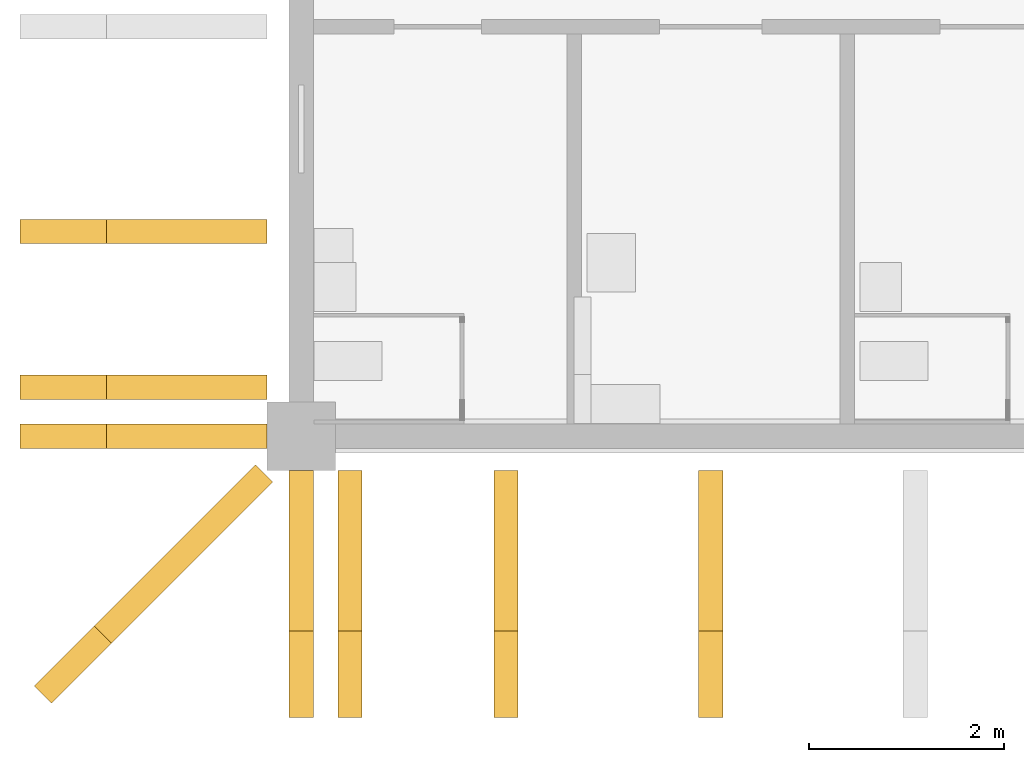
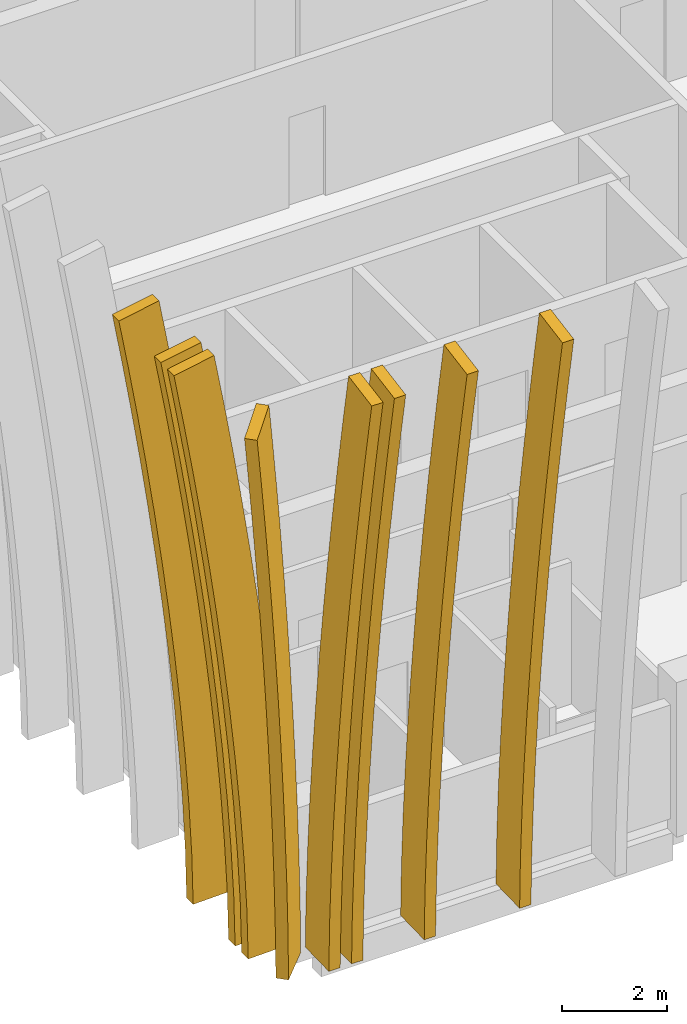
# One storey, part 9 of 19: 8 shading devices.
"""IFC4 building model written with IfcOpenShell, lengths in metres."""

import ifcopenshell
import ifcopenshell.guid

model = None  # the IFC model being written
_history = None  # IfcOwnerHistory: only IFC2X3 demands one
_inside = {}  # id of a spatial element -> (the spatial element, [elements in it])
_under = {}  # id of a project, library or spatial element -> (it, [spatial elements below it])
_declared = {}  # id of a project -> (the project, [libraries it declares])
_typed = {}  # id of a type object -> (the type object, [elements of that type])
_made_of = {}  # id of a material, layer set ... -> (it, [elements and type objects made of it])


def new_model(schema):
    """Start an empty IFC model of exactly this schema.

    Asked for "IFC4X3", IfcOpenShell would pick the latest addendum, in which some entities
    have other attributes; the version numbers below select the first issue.
    IFC2X3 requires an IfcOwnerHistory on every rooted entity: one is made here for all.
    """
    global model, _history
    if schema == "IFC4X3":
        model = ifcopenshell.file(schema_version=(4, 3, 0, 0))
    else:
        model = ifcopenshell.file(schema=schema)
    _inside.clear()
    _under.clear()
    _declared.clear()
    _typed.clear()
    _made_of.clear()
    _history = None
    if model.schema == "IFC2X3":
        org = make("IfcOrganization", Name="unknown")
        user = make(
            "IfcPersonAndOrganization",
            ThePerson=make("IfcPerson", FamilyName="unknown"),
            TheOrganization=org,
        )
        app = make(
            "IfcApplication",
            ApplicationDeveloper=org,
            Version="unknown",
            ApplicationFullName="unknown",
            ApplicationIdentifier="unknown",
        )
        _history = make(
            "IfcOwnerHistory",
            OwningUser=user,
            OwningApplication=app,
            ChangeAction="ADDED",
            CreationDate=0,
        )
    return model


def make(cls, **values):
    """One entity of the class cls with the attributes given. An attribute that is None is left unset."""
    return model.create_entity(
        cls, **{name: value for name, value in values.items() if value is not None}
    )


def rooted(cls, **values):
    """An entity with a GlobalId (a new one), such as an element, a storey or a relation."""
    return make(cls, GlobalId=ifcopenshell.guid.new(), OwnerHistory=_history, **values)


def si_unit(unit_type, name, prefix=None):
    """IfcSIUnit, for example si_unit("LENGTHUNIT", "METRE", prefix="MILLI")."""
    return make("IfcSIUnit", UnitType=unit_type, Prefix=prefix, Name=name)


def assignment(units):
    """IfcUnitAssignment: the units of a project."""
    return None if units is None else make("IfcUnitAssignment", Units=units)


def point(xyz):
    """IfcCartesianPoint."""
    return None if xyz is None else make("IfcCartesianPoint", Coordinates=xyz)


def direction(xyz):
    """IfcDirection."""
    return None if xyz is None else make("IfcDirection", DirectionRatios=xyz)


def frame(location, z_axis=None, x_axis=None):
    """IfcAxis2Placement3D, a coordinate frame: its origin and axes. An axis left out is left unset."""
    return make(
        "IfcAxis2Placement3D",
        Location=point(location),
        Axis=direction(z_axis),
        RefDirection=direction(x_axis),
    )


def frame_2d(location, x_axis=None):
    """IfcAxis2Placement2D, a coordinate frame in the plane: its origin and x axis."""
    return make(
        "IfcAxis2Placement2D", Location=point(location), RefDirection=direction(x_axis)
    )


def origin():
    """The frame at (0, 0, 0) with its axes left unset."""
    return frame((0.0, 0.0, 0.0))


def origin_2d():
    """The frame at (0, 0) in the plane with its x axis left unset."""
    return frame_2d((0.0, 0.0))


def place(relative_to, where):
    """IfcLocalPlacement: puts the frame where relative to a parent placement (None: the world)."""
    return make(
        "IfcLocalPlacement", PlacementRelTo=relative_to, RelativePlacement=where
    )


def context(
    kind, dimensions, precision=None, world=None, true_north=None, identifier=None
):
    """IfcGeometricRepresentationContext, for example the 3D "Model" context."""
    return make(
        "IfcGeometricRepresentationContext",
        ContextIdentifier=identifier,
        ContextType=kind,
        CoordinateSpaceDimension=dimensions,
        Precision=precision,
        WorldCoordinateSystem=world,
        TrueNorth=true_north,
    )


def subcontext(parent, identifier, kind, view, scale=None):
    """IfcGeometricRepresentationSubContext, for example "Body" below "Model"."""
    return make(
        "IfcGeometricRepresentationSubContext",
        ContextIdentifier=identifier,
        ContextType=kind,
        ParentContext=parent,
        TargetScale=scale,
        TargetView=view,
    )


def project(units=None, contexts=None):
    """IfcProject with its units and contexts."""
    return rooted(
        "IfcProject",
        Name="project",
        RepresentationContexts=contexts,
        UnitsInContext=assignment(units),
    )


def spatial(cls, under=None, at=None, **own):
    """A site, building, storey or space (cls), placed at a placement, below another one or the project."""
    s = rooted(cls, ObjectPlacement=at, **own)
    if under is not None:
        _under.setdefault(under.id(), (under, []))[1].append(s)
    return s


def profile(cls, at=None, kind="AREA", **sizes):
    """A parametric profile (cls). Its sizes go by their IFC names, for example OverallWidth=200.0."""
    return make(cls, ProfileType=kind, Position=at, **sizes)


def rectangle(**sizes):
    """IfcRectangleProfileDef."""
    return profile("IfcRectangleProfileDef", **sizes)


def faces_of(points, faces, orient=None, outer=None):
    """IfcFace entities. A face is a list of loops; a loop is a list of indices into points, from 0.

    orient and outer hold one flag for each loop. By default every Orientation is true, the
    first loop of a face is its IfcFaceOuterBound and the others are IfcFaceBound.
    """
    made = []
    for i, loops in enumerate(faces):
        bounds = []
        for j, loop in enumerate(loops):
            is_outer = j == 0 if outer is None else outer[i][j]
            bounds.append(
                make(
                    "IfcFaceOuterBound" if is_outer else "IfcFaceBound",
                    Bound=make("IfcPolyLoop", Polygon=[points[k] for k in loop]),
                    Orientation=True if orient is None else orient[i][j],
                )
            )
        made.append(make("IfcFace", Bounds=bounds))
    return made


def faceted_brep(points, faces, orient=None, outer=None, voids=None):
    """IfcFacetedBrep: a solid bounded by flat faces; with voids (closed shells), ...WithVoids."""
    shared = [point(p) for p in points]
    hull = make("IfcClosedShell", CfsFaces=faces_of(shared, faces, orient, outer))
    if voids is None:
        return make("IfcFacetedBrep", Outer=hull)
    return make(
        "IfcFacetedBrepWithVoids",
        Outer=hull,
        Voids=[
            make(cls, CfsFaces=faces_of(shared, fs, o, b)) for cls, fs, o, b in voids
        ],
    )


def shape(context_of_items, identifier, shape_type, items):
    """IfcShapeRepresentation: the items that make up one representation, for example the "Body"."""
    return make(
        "IfcShapeRepresentation",
        ContextOfItems=context_of_items,
        RepresentationIdentifier=identifier,
        RepresentationType=shape_type,
        Items=items,
    )


def material(Name=None, Category=None):
    """IfcMaterial."""
    return make("IfcMaterial", Name=Name, Category=Category)


def material_profile(
    of_material, cross_section, Name=None, Category=None, Priority=None
):
    """IfcMaterialProfile: a cross section and its material."""
    return make(
        "IfcMaterialProfile",
        Name=Name,
        Material=of_material,
        Profile=cross_section,
        Priority=Priority,
        Category=Category,
    )


def profile_set(profiles, Name=None, composite=None):
    """IfcMaterialProfileSet."""
    return make(
        "IfcMaterialProfileSet",
        Name=Name,
        MaterialProfiles=profiles,
        CompositeProfile=composite,
    )


def made_of(thing, what):
    """Note that an element or type object is made of a material, layer set ...; save() writes the relation."""
    if what is not None:
        _made_of.setdefault(what.id(), (what, []))[1].append(thing)
    return thing


def type_object(cls, material=None, **own):
    """A type object (cls), such as IfcWallType, which elements share."""
    return made_of(rooted(cls, **own), material)


def element(
    cls,
    number,
    at=None,
    inside=None,
    cuts=None,
    type_object=None,
    material=None,
    context=None,
    identifier="Body",
    shape_type=None,
    held_by="IfcProductDefinitionShape",
    body=None,
    shapes=None,
    **own,
):
    """One element of the class cls, such as IfcWall. Its Tag is "e" and its number.

    at: its placement. inside: the storey or other place that contains it. cuts: it is an
    opening in that element (IfcRelVoidsElement). A single representation is given by context,
    identifier, shape_type and body (its items); several are given by shapes. held_by: the class
    of the entity that holds the representations. save() writes the other relations.
    """
    e = rooted(cls, Tag="e%d" % number, ObjectPlacement=at, **own)
    if body is not None:
        shapes = [shape(context, identifier, shape_type, body)]
    if shapes is not None:
        e.Representation = make(held_by, Representations=shapes)
    if inside is not None:
        _inside.setdefault(inside.id(), (inside, []))[1].append(e)
    if cuts is not None:
        rooted(
            "IfcRelVoidsElement", RelatingBuildingElement=cuts, RelatedOpeningElement=e
        )
    if type_object is not None:
        _typed.setdefault(type_object.id(), (type_object, []))[1].append(e)
    return made_of(e, material)


def aggregate(whole, parts):
    """IfcRelAggregates: a whole, such as a stair, and the parts it consists of."""
    return rooted("IfcRelAggregates", RelatingObject=whole, RelatedObjects=parts)


def save(model, path):
    """Write the relations noted so far, then the file.

    IfcRelAggregates (storeys below a building ...), IfcRelContainedInSpatialStructure (elements
    in a storey), IfcRelDefinesByType, IfcRelAssociatesMaterial and IfcRelDeclares: one each for
    every whole, place, type object, material and project.
    """
    for whole, parts in _under.values():
        aggregate(whole, parts)
    for where, things in _inside.values():
        rooted(
            "IfcRelContainedInSpatialStructure",
            RelatedElements=things,
            RelatingStructure=where,
        )
    for kind, things in _typed.values():
        rooted("IfcRelDefinesByType", RelatedObjects=things, RelatingType=kind)
    for what, things in _made_of.values():
        rooted("IfcRelAssociatesMaterial", RelatedObjects=things, RelatingMaterial=what)
    for by, libraries in _declared.values():
        rooted("IfcRelDeclares", RelatingContext=by, RelatedDefinitions=libraries)
    model.write(path)


model = new_model("IFC4")

# Units and contexts
model_context = context("Model", 3, precision=1e-05, world=origin(), true_north=direction((0.0, 1.0)))
body_context = subcontext(model_context, "Body", "Model", "MODEL_VIEW")
ifc_project = project(units=[si_unit("LENGTHUNIT", "METRE"), si_unit("AREAUNIT", "SQUARE_METRE"), si_unit("VOLUMEUNIT", "CUBIC_METRE"), si_unit("PLANEANGLEUNIT", "RADIAN"), si_unit("MASSUNIT", "GRAM", prefix="KILO")], contexts=[model_context])

# Site, building, storey
site_placement = place(None, origin())
site = spatial("IfcSite", under=ifc_project, at=site_placement, CompositionType="ELEMENT")
building_placement = place(site_placement, origin())
building = spatial("IfcBuilding", under=site, at=building_placement, Name="Rulbaag Community and Learning Centre", CompositionType="ELEMENT")
storey_placement = place(building_placement, frame((0.0, 0.0, 57.60009765625)))
storey = spatial("IfcBuildingStorey", under=building, at=storey_placement, Name="L15", CompositionType="ELEMENT", Elevation=57.60009765625)

# Shading devices
ifc_material = material(Name="Concrete M40", Category="concrete")
ifc_material_profile = material_profile(ifc_material, rectangle(XDim=0.25, YDim=0.89990234375, at=origin_2d()), Name="PC 250x900")
ifc_profile_set = profile_set([ifc_material_profile], Name="Concrete M40")
shading_device_type = type_object("IfcShadingDeviceType", Name="FIN-H", PredefinedType="JALOUSIE", material=ifc_profile_set)
shading_device_1_placement = place(storey_placement, frame((0.0, 0.0, -57.60009765625)))
element("IfcShadingDevice", 1, at=shading_device_1_placement, inside=storey, type_object=shading_device_type, Name="Precast crown fin", PredefinedType="JALOUSIE", context=body_context, shape_type="Brep", body=[
    faceted_brep([(142.675048828125, 82.75, 57.587646484375), (142.925048828125, 82.75, 57.587646484375), (142.925048828125, 83.64990234375, 57.611083984375), (142.675048828125, 83.64990234375, 57.611083984375), (142.675048828125, 82.00048828125, 71.89794921875), (142.925048828125, 82.00048828125, 71.89794921875), (142.925048828125, 81.11474609375, 71.73876953125), (142.675048828125, 81.11474609375, 71.73876953125), (142.925048828125, 83.619140625, 58.790771484375), (142.675048828125, 83.619140625, 58.790771484375), (142.925048828125, 82.7197265625, 58.755126953125), (142.675048828125, 82.7197265625, 58.755126953125), (142.925048828125, 83.55615234375, 59.983154296875), (142.675048828125, 83.55615234375, 59.983154296875), (142.925048828125, 82.65771484375, 59.927001953125), (142.675048828125, 82.65771484375, 59.927001953125), (142.925048828125, 83.470458984375, 61.1748046875), (142.675048828125, 83.470458984375, 61.1748046875), (142.925048828125, 82.573486328125, 61.10302734375), (142.675048828125, 82.573486328125, 61.10302734375), (142.925048828125, 83.365478515625, 62.36669921875), (142.675048828125, 83.365478515625, 62.36669921875), (142.925048828125, 82.469482421875, 62.28125), (142.675048828125, 82.469482421875, 62.28125), (142.925048828125, 83.243408203125, 63.558349609375), (142.675048828125, 83.243408203125, 63.558349609375), (142.925048828125, 82.348876953125, 63.460693359375), (142.675048828125, 82.348876953125, 63.460693359375), (142.925048828125, 83.105712890625, 64.75), (142.675048828125, 83.105712890625, 64.75), (142.925048828125, 82.212158203125, 64.64111328125), (142.675048828125, 82.212158203125, 64.64111328125), (142.925048828125, 82.953369140625, 65.941650390625), (142.675048828125, 82.953369140625, 65.941650390625), (142.925048828125, 82.061279296875, 65.822509765625), (142.675048828125, 82.061279296875, 65.822509765625), (142.925048828125, 82.78759765625, 67.13330078125), (142.675048828125, 82.78759765625, 67.13330078125), (142.925048828125, 81.89697265625, 67.00439453125), (142.675048828125, 81.89697265625, 67.00439453125), (142.925048828125, 82.608642578125, 68.324951171875), (142.675048828125, 82.608642578125, 68.324951171875), (142.925048828125, 81.719482421875, 68.186767578125), (142.675048828125, 81.719482421875, 68.186767578125), (142.925048828125, 82.417236328125, 69.5166015625), (142.675048828125, 82.417236328125, 69.5166015625), (142.925048828125, 81.529541015625, 69.36962890625), (142.675048828125, 81.529541015625, 69.36962890625), (142.925048828125, 82.214599609375, 70.708251953125), (142.675048828125, 82.214599609375, 70.708251953125), (142.925048828125, 81.327880859375, 70.552978515625), (142.675048828125, 81.327880859375, 70.552978515625)], [[[0, 1, 2, 3]], [[4, 5, 6, 7]], [[3, 2, 8, 9]], [[2, 1, 10, 8]], [[1, 0, 11, 10]], [[0, 3, 9, 11]], [[9, 8, 12, 13]], [[8, 10, 14, 12]], [[10, 11, 15, 14]], [[11, 9, 13, 15]], [[13, 12, 16, 17]], [[12, 14, 18, 16]], [[14, 15, 19, 18]], [[15, 13, 17, 19]], [[17, 16, 20, 21]], [[16, 18, 22, 20]], [[18, 19, 23, 22]], [[19, 17, 21, 23]], [[21, 20, 24, 25]], [[20, 22, 26, 24]], [[22, 23, 27, 26]], [[23, 21, 25, 27]], [[25, 24, 28, 29]], [[24, 26, 30, 28]], [[26, 27, 31, 30]], [[27, 25, 29, 31]], [[29, 28, 32, 33]], [[28, 30, 34, 32]], [[30, 31, 35, 34]], [[31, 29, 33, 35]], [[33, 32, 36, 37]], [[32, 34, 38, 36]], [[34, 35, 39, 38]], [[35, 33, 37, 39]], [[37, 36, 40, 41]], [[36, 38, 42, 40]], [[38, 39, 43, 42]], [[39, 37, 41, 43]], [[41, 40, 44, 45]], [[40, 42, 46, 44]], [[42, 43, 47, 46]], [[43, 41, 45, 47]], [[45, 44, 48, 49]], [[44, 46, 50, 48]], [[46, 47, 51, 50]], [[47, 45, 49, 51]], [[49, 48, 5, 4]], [[48, 50, 6, 5]], [[50, 51, 7, 6]], [[51, 49, 4, 7]]]),
])
shading_device_2_placement = place(storey_placement, frame((0.0, 0.0, -57.60009765625)))
element("IfcShadingDevice", 2, at=shading_device_2_placement, inside=storey, type_object=shading_device_type, Name="Precast crown fin", PredefinedType="JALOUSIE", context=body_context, shape_type="Brep", body=[
    faceted_brep([(143.175048828125, 82.75, 57.587646484375), (143.425048828125, 82.75, 57.587646484375), (143.425048828125, 83.64990234375, 57.611083984375), (143.175048828125, 83.64990234375, 57.611083984375), (143.175048828125, 82.00048828125, 71.89794921875), (143.425048828125, 82.00048828125, 71.89794921875), (143.425048828125, 81.11474609375, 71.73876953125), (143.175048828125, 81.11474609375, 71.73876953125), (143.425048828125, 83.619140625, 58.790771484375), (143.175048828125, 83.619140625, 58.790771484375), (143.425048828125, 82.7197265625, 58.755126953125), (143.175048828125, 82.7197265625, 58.755126953125), (143.425048828125, 83.55615234375, 59.983154296875), (143.175048828125, 83.55615234375, 59.983154296875), (143.425048828125, 82.65771484375, 59.927001953125), (143.175048828125, 82.65771484375, 59.927001953125), (143.425048828125, 83.470458984375, 61.1748046875), (143.175048828125, 83.470458984375, 61.1748046875), (143.425048828125, 82.573486328125, 61.10302734375), (143.175048828125, 82.573486328125, 61.10302734375), (143.425048828125, 83.365478515625, 62.36669921875), (143.175048828125, 83.365478515625, 62.36669921875), (143.425048828125, 82.469482421875, 62.28125), (143.175048828125, 82.469482421875, 62.28125), (143.425048828125, 83.243408203125, 63.558349609375), (143.175048828125, 83.243408203125, 63.558349609375), (143.425048828125, 82.348876953125, 63.460693359375), (143.175048828125, 82.348876953125, 63.460693359375), (143.425048828125, 83.105712890625, 64.75), (143.175048828125, 83.105712890625, 64.75), (143.425048828125, 82.212158203125, 64.64111328125), (143.175048828125, 82.212158203125, 64.64111328125), (143.425048828125, 82.953369140625, 65.941650390625), (143.175048828125, 82.953369140625, 65.941650390625), (143.425048828125, 82.061279296875, 65.822509765625), (143.175048828125, 82.061279296875, 65.822509765625), (143.425048828125, 82.78759765625, 67.13330078125), (143.175048828125, 82.78759765625, 67.13330078125), (143.425048828125, 81.89697265625, 67.00439453125), (143.175048828125, 81.89697265625, 67.00439453125), (143.425048828125, 82.608642578125, 68.324951171875), (143.175048828125, 82.608642578125, 68.324951171875), (143.425048828125, 81.719482421875, 68.186767578125), (143.175048828125, 81.719482421875, 68.186767578125), (143.425048828125, 82.417236328125, 69.5166015625), (143.175048828125, 82.417236328125, 69.5166015625), (143.425048828125, 81.529541015625, 69.36962890625), (143.175048828125, 81.529541015625, 69.36962890625), (143.425048828125, 82.214599609375, 70.708251953125), (143.175048828125, 82.214599609375, 70.708251953125), (143.425048828125, 81.327880859375, 70.552978515625), (143.175048828125, 81.327880859375, 70.552978515625)], [[[0, 1, 2, 3]], [[4, 5, 6, 7]], [[3, 2, 8, 9]], [[2, 1, 10, 8]], [[1, 0, 11, 10]], [[0, 3, 9, 11]], [[9, 8, 12, 13]], [[8, 10, 14, 12]], [[10, 11, 15, 14]], [[11, 9, 13, 15]], [[13, 12, 16, 17]], [[12, 14, 18, 16]], [[14, 15, 19, 18]], [[15, 13, 17, 19]], [[17, 16, 20, 21]], [[16, 18, 22, 20]], [[18, 19, 23, 22]], [[19, 17, 21, 23]], [[21, 20, 24, 25]], [[20, 22, 26, 24]], [[22, 23, 27, 26]], [[23, 21, 25, 27]], [[25, 24, 28, 29]], [[24, 26, 30, 28]], [[26, 27, 31, 30]], [[27, 25, 29, 31]], [[29, 28, 32, 33]], [[28, 30, 34, 32]], [[30, 31, 35, 34]], [[31, 29, 33, 35]], [[33, 32, 36, 37]], [[32, 34, 38, 36]], [[34, 35, 39, 38]], [[35, 33, 37, 39]], [[37, 36, 40, 41]], [[36, 38, 42, 40]], [[38, 39, 43, 42]], [[39, 37, 41, 43]], [[41, 40, 44, 45]], [[40, 42, 46, 44]], [[42, 43, 47, 46]], [[43, 41, 45, 47]], [[45, 44, 48, 49]], [[44, 46, 50, 48]], [[46, 47, 51, 50]], [[47, 45, 49, 51]], [[49, 48, 5, 4]], [[48, 50, 6, 5]], [[50, 51, 7, 6]], [[51, 49, 4, 7]]]),
])
shading_device_3_placement = place(storey_placement, frame((0.0, 0.0, -57.60009765625)))
element("IfcShadingDevice", 3, at=shading_device_3_placement, inside=storey, type_object=shading_device_type, Name="Precast crown fin", PredefinedType="JALOUSIE", context=body_context, shape_type="Brep", body=[
    faceted_brep([(144.77490234375, 82.75, 57.587646484375), (145.02490234375, 82.75, 57.587646484375), (145.02490234375, 83.64990234375, 57.611083984375), (144.77490234375, 83.64990234375, 57.611083984375), (144.77490234375, 82.00048828125, 71.89794921875), (145.02490234375, 82.00048828125, 71.89794921875), (145.02490234375, 81.11474609375, 71.73876953125), (144.77490234375, 81.11474609375, 71.73876953125), (145.02490234375, 83.619140625, 58.790771484375), (144.77490234375, 83.619140625, 58.790771484375), (145.02490234375, 82.7197265625, 58.755126953125), (144.77490234375, 82.7197265625, 58.755126953125), (145.02490234375, 83.55615234375, 59.983154296875), (144.77490234375, 83.55615234375, 59.983154296875), (145.02490234375, 82.65771484375, 59.927001953125), (144.77490234375, 82.65771484375, 59.927001953125), (145.02490234375, 83.470458984375, 61.1748046875), (144.77490234375, 83.470458984375, 61.1748046875), (145.02490234375, 82.573486328125, 61.10302734375), (144.77490234375, 82.573486328125, 61.10302734375), (145.02490234375, 83.365478515625, 62.36669921875), (144.77490234375, 83.365478515625, 62.36669921875), (145.02490234375, 82.469482421875, 62.28125), (144.77490234375, 82.469482421875, 62.28125), (145.02490234375, 83.243408203125, 63.558349609375), (144.77490234375, 83.243408203125, 63.558349609375), (145.02490234375, 82.348876953125, 63.460693359375), (144.77490234375, 82.348876953125, 63.460693359375), (145.02490234375, 83.105712890625, 64.75), (144.77490234375, 83.105712890625, 64.75), (145.02490234375, 82.212158203125, 64.64111328125), (144.77490234375, 82.212158203125, 64.64111328125), (145.02490234375, 82.953369140625, 65.941650390625), (144.77490234375, 82.953369140625, 65.941650390625), (145.02490234375, 82.061279296875, 65.822509765625), (144.77490234375, 82.061279296875, 65.822509765625), (145.02490234375, 82.78759765625, 67.13330078125), (144.77490234375, 82.78759765625, 67.13330078125), (145.02490234375, 81.89697265625, 67.00439453125), (144.77490234375, 81.89697265625, 67.00439453125), (145.02490234375, 82.608642578125, 68.324951171875), (144.77490234375, 82.608642578125, 68.324951171875), (145.02490234375, 81.719482421875, 68.186767578125), (144.77490234375, 81.719482421875, 68.186767578125), (145.02490234375, 82.417236328125, 69.5166015625), (144.77490234375, 82.417236328125, 69.5166015625), (145.02490234375, 81.529541015625, 69.36962890625), (144.77490234375, 81.529541015625, 69.36962890625), (145.02490234375, 82.214599609375, 70.708251953125), (144.77490234375, 82.214599609375, 70.708251953125), (145.02490234375, 81.327880859375, 70.552978515625), (144.77490234375, 81.327880859375, 70.552978515625)], [[[0, 1, 2, 3]], [[4, 5, 6, 7]], [[3, 2, 8, 9]], [[2, 1, 10, 8]], [[1, 0, 11, 10]], [[0, 3, 9, 11]], [[9, 8, 12, 13]], [[8, 10, 14, 12]], [[10, 11, 15, 14]], [[11, 9, 13, 15]], [[13, 12, 16, 17]], [[12, 14, 18, 16]], [[14, 15, 19, 18]], [[15, 13, 17, 19]], [[17, 16, 20, 21]], [[16, 18, 22, 20]], [[18, 19, 23, 22]], [[19, 17, 21, 23]], [[21, 20, 24, 25]], [[20, 22, 26, 24]], [[22, 23, 27, 26]], [[23, 21, 25, 27]], [[25, 24, 28, 29]], [[24, 26, 30, 28]], [[26, 27, 31, 30]], [[27, 25, 29, 31]], [[29, 28, 32, 33]], [[28, 30, 34, 32]], [[30, 31, 35, 34]], [[31, 29, 33, 35]], [[33, 32, 36, 37]], [[32, 34, 38, 36]], [[34, 35, 39, 38]], [[35, 33, 37, 39]], [[37, 36, 40, 41]], [[36, 38, 42, 40]], [[38, 39, 43, 42]], [[39, 37, 41, 43]], [[41, 40, 44, 45]], [[40, 42, 46, 44]], [[42, 43, 47, 46]], [[43, 41, 45, 47]], [[45, 44, 48, 49]], [[44, 46, 50, 48]], [[46, 47, 51, 50]], [[47, 45, 49, 51]], [[49, 48, 5, 4]], [[48, 50, 6, 5]], [[50, 51, 7, 6]], [[51, 49, 4, 7]]]),
])
shading_device_4_placement = place(storey_placement, frame((0.0, 0.0, -57.60009765625)))
element("IfcShadingDevice", 4, at=shading_device_4_placement, inside=storey, type_object=shading_device_type, Name="Precast crown fin", PredefinedType="JALOUSIE", context=body_context, shape_type="Brep", body=[
    faceted_brep([(146.875, 82.75, 57.587646484375), (147.125, 82.75, 57.587646484375), (147.125, 83.64990234375, 57.611083984375), (146.875, 83.64990234375, 57.611083984375), (146.875, 82.00048828125, 71.89794921875), (147.125, 82.00048828125, 71.89794921875), (147.125, 81.11474609375, 71.73876953125), (146.875, 81.11474609375, 71.73876953125), (147.125, 83.619140625, 58.790771484375), (146.875, 83.619140625, 58.790771484375), (147.125, 82.7197265625, 58.755126953125), (146.875, 82.7197265625, 58.755126953125), (147.125, 83.55615234375, 59.983154296875), (146.875, 83.55615234375, 59.983154296875), (147.125, 82.65771484375, 59.927001953125), (146.875, 82.65771484375, 59.927001953125), (147.125, 83.470458984375, 61.1748046875), (146.875, 83.470458984375, 61.1748046875), (147.125, 82.573486328125, 61.10302734375), (146.875, 82.573486328125, 61.10302734375), (147.125, 83.365478515625, 62.36669921875), (146.875, 83.365478515625, 62.36669921875), (147.125, 82.469482421875, 62.28125), (146.875, 82.469482421875, 62.28125), (147.125, 83.243408203125, 63.558349609375), (146.875, 83.243408203125, 63.558349609375), (147.125, 82.348876953125, 63.460693359375), (146.875, 82.348876953125, 63.460693359375), (147.125, 83.105712890625, 64.75), (146.875, 83.105712890625, 64.75), (147.125, 82.212158203125, 64.64111328125), (146.875, 82.212158203125, 64.64111328125), (147.125, 82.953369140625, 65.941650390625), (146.875, 82.953369140625, 65.941650390625), (147.125, 82.061279296875, 65.822509765625), (146.875, 82.061279296875, 65.822509765625), (147.125, 82.78759765625, 67.13330078125), (146.875, 82.78759765625, 67.13330078125), (147.125, 81.89697265625, 67.00439453125), (146.875, 81.89697265625, 67.00439453125), (147.125, 82.608642578125, 68.324951171875), (146.875, 82.608642578125, 68.324951171875), (147.125, 81.719482421875, 68.186767578125), (146.875, 81.719482421875, 68.186767578125), (147.125, 82.417236328125, 69.5166015625), (146.875, 82.417236328125, 69.5166015625), (147.125, 81.529541015625, 69.36962890625), (146.875, 81.529541015625, 69.36962890625), (147.125, 82.214599609375, 70.708251953125), (146.875, 82.214599609375, 70.708251953125), (147.125, 81.327880859375, 70.552978515625), (146.875, 81.327880859375, 70.552978515625)], [[[0, 1, 2, 3]], [[4, 5, 6, 7]], [[3, 2, 8, 9]], [[2, 1, 10, 8]], [[1, 0, 11, 10]], [[0, 3, 9, 11]], [[9, 8, 12, 13]], [[8, 10, 14, 12]], [[10, 11, 15, 14]], [[11, 9, 13, 15]], [[13, 12, 16, 17]], [[12, 14, 18, 16]], [[14, 15, 19, 18]], [[15, 13, 17, 19]], [[17, 16, 20, 21]], [[16, 18, 22, 20]], [[18, 19, 23, 22]], [[19, 17, 21, 23]], [[21, 20, 24, 25]], [[20, 22, 26, 24]], [[22, 23, 27, 26]], [[23, 21, 25, 27]], [[25, 24, 28, 29]], [[24, 26, 30, 28]], [[26, 27, 31, 30]], [[27, 25, 29, 31]], [[29, 28, 32, 33]], [[28, 30, 34, 32]], [[30, 31, 35, 34]], [[31, 29, 33, 35]], [[33, 32, 36, 37]], [[32, 34, 38, 36]], [[34, 35, 39, 38]], [[35, 33, 37, 39]], [[37, 36, 40, 41]], [[36, 38, 42, 40]], [[38, 39, 43, 42]], [[39, 37, 41, 43]], [[41, 40, 44, 45]], [[40, 42, 46, 44]], [[42, 43, 47, 46]], [[43, 41, 45, 47]], [[45, 44, 48, 49]], [[44, 46, 50, 48]], [[46, 47, 51, 50]], [[47, 45, 49, 51]], [[49, 48, 5, 4]], [[48, 50, 6, 5]], [[50, 51, 7, 6]], [[51, 49, 4, 7]]]),
])
shading_device_5_placement = place(storey_placement, frame((0.0, 0.0, -57.60009765625)))
element("IfcShadingDevice", 5, at=shading_device_5_placement, inside=storey, type_object=shading_device_type, Name="Precast crown fin", PredefinedType="JALOUSIE", context=body_context, shape_type="Brep", body=[
    faceted_brep([(141.550048828125, 83.875, 57.587646484375), (141.550048828125, 84.125, 57.587646484375), (142.449951171875, 84.125, 57.611083984375), (142.449951171875, 83.875, 57.611083984375), (140.80029296875, 83.875, 71.898193359375), (140.80029296875, 84.125, 71.898193359375), (139.91455078125, 84.125, 71.738525390625), (139.91455078125, 83.875, 71.738525390625), (142.419189453125, 84.125, 58.790771484375), (142.419189453125, 83.875, 58.790771484375), (141.519775390625, 84.125, 58.755126953125), (141.519775390625, 83.875, 58.755126953125), (142.356201171875, 84.125, 59.983154296875), (142.356201171875, 83.875, 59.983154296875), (141.457763671875, 84.125, 59.927001953125), (141.457763671875, 83.875, 59.927001953125), (142.2705078125, 84.125, 61.1748046875), (142.2705078125, 83.875, 61.1748046875), (141.37353515625, 84.125, 61.10302734375), (141.37353515625, 83.875, 61.10302734375), (142.16552734375, 84.125, 62.36669921875), (142.16552734375, 83.875, 62.36669921875), (141.26953125, 84.125, 62.28125), (141.26953125, 83.875, 62.28125), (142.04345703125, 84.125, 63.558349609375), (142.04345703125, 83.875, 63.558349609375), (141.14892578125, 84.125, 63.460693359375), (141.14892578125, 83.875, 63.460693359375), (141.90576171875, 84.125, 64.75), (141.90576171875, 83.875, 64.75), (141.01220703125, 84.125, 64.64111328125), (141.01220703125, 83.875, 64.64111328125), (141.75341796875, 84.125, 65.941650390625), (141.75341796875, 83.875, 65.941650390625), (140.861328125, 84.125, 65.822509765625), (140.861328125, 83.875, 65.822509765625), (141.58740234375, 84.125, 67.13330078125), (141.58740234375, 83.875, 67.13330078125), (140.69677734375, 84.125, 67.00439453125), (140.69677734375, 83.875, 67.00439453125), (141.40869140625, 84.125, 68.324951171875), (141.40869140625, 83.875, 68.324951171875), (140.51953125, 84.125, 68.186767578125), (140.51953125, 83.875, 68.186767578125), (141.21728515625, 84.125, 69.5166015625), (141.21728515625, 83.875, 69.5166015625), (140.32958984375, 84.125, 69.36962890625), (140.32958984375, 83.875, 69.36962890625), (141.0146484375, 84.125, 70.708251953125), (141.0146484375, 83.875, 70.708251953125), (140.1279296875, 84.125, 70.552978515625), (140.1279296875, 83.875, 70.552978515625)], [[[0, 1, 2, 3]], [[4, 5, 6, 7]], [[3, 2, 8, 9]], [[2, 1, 10, 8]], [[1, 0, 11, 10]], [[0, 3, 9, 11]], [[9, 8, 12, 13]], [[8, 10, 14, 12]], [[10, 11, 15, 14]], [[11, 9, 13, 15]], [[13, 12, 16, 17]], [[12, 14, 18, 16]], [[14, 15, 19, 18]], [[15, 13, 17, 19]], [[17, 16, 20, 21]], [[16, 18, 22, 20]], [[18, 19, 23, 22]], [[19, 17, 21, 23]], [[21, 20, 24, 25]], [[20, 22, 26, 24]], [[22, 23, 27, 26]], [[23, 21, 25, 27]], [[25, 24, 28, 29]], [[24, 26, 30, 28]], [[26, 27, 31, 30]], [[27, 25, 29, 31]], [[29, 28, 32, 33]], [[28, 30, 34, 32]], [[30, 31, 35, 34]], [[31, 29, 33, 35]], [[33, 32, 36, 37]], [[32, 34, 38, 36]], [[34, 35, 39, 38]], [[35, 33, 37, 39]], [[37, 36, 40, 41]], [[36, 38, 42, 40]], [[38, 39, 43, 42]], [[39, 37, 41, 43]], [[41, 40, 44, 45]], [[40, 42, 46, 44]], [[42, 43, 47, 46]], [[43, 41, 45, 47]], [[45, 44, 48, 49]], [[44, 46, 50, 48]], [[46, 47, 51, 50]], [[47, 45, 49, 51]], [[49, 48, 5, 4]], [[48, 50, 6, 5]], [[50, 51, 7, 6]], [[51, 49, 4, 7]]]),
])
shading_device_6_placement = place(storey_placement, frame((0.0, 0.0, -57.60009765625)))
element("IfcShadingDevice", 6, at=shading_device_6_placement, inside=storey, type_object=shading_device_type, Name="Precast crown fin", PredefinedType="JALOUSIE", context=body_context, shape_type="Brep", body=[
    faceted_brep([(141.550048828125, 84.375, 57.587646484375), (141.550048828125, 84.625, 57.587646484375), (142.449951171875, 84.625, 57.611083984375), (142.449951171875, 84.375, 57.611083984375), (140.80029296875, 84.375, 71.898193359375), (140.80029296875, 84.625, 71.898193359375), (139.91455078125, 84.625, 71.738525390625), (139.91455078125, 84.375, 71.738525390625), (142.419189453125, 84.625, 58.790771484375), (142.419189453125, 84.375, 58.790771484375), (141.519775390625, 84.625, 58.755126953125), (141.519775390625, 84.375, 58.755126953125), (142.356201171875, 84.625, 59.983154296875), (142.356201171875, 84.375, 59.983154296875), (141.457763671875, 84.625, 59.927001953125), (141.457763671875, 84.375, 59.927001953125), (142.2705078125, 84.625, 61.1748046875), (142.2705078125, 84.375, 61.1748046875), (141.37353515625, 84.625, 61.10302734375), (141.37353515625, 84.375, 61.10302734375), (142.16552734375, 84.625, 62.36669921875), (142.16552734375, 84.375, 62.36669921875), (141.26953125, 84.625, 62.28125), (141.26953125, 84.375, 62.28125), (142.04345703125, 84.625, 63.558349609375), (142.04345703125, 84.375, 63.558349609375), (141.14892578125, 84.625, 63.460693359375), (141.14892578125, 84.375, 63.460693359375), (141.90576171875, 84.625, 64.75), (141.90576171875, 84.375, 64.75), (141.01220703125, 84.625, 64.64111328125), (141.01220703125, 84.375, 64.64111328125), (141.75341796875, 84.625, 65.941650390625), (141.75341796875, 84.375, 65.941650390625), (140.861328125, 84.625, 65.822509765625), (140.861328125, 84.375, 65.822509765625), (141.58740234375, 84.625, 67.13330078125), (141.58740234375, 84.375, 67.13330078125), (140.69677734375, 84.625, 67.00439453125), (140.69677734375, 84.375, 67.00439453125), (141.40869140625, 84.625, 68.324951171875), (141.40869140625, 84.375, 68.324951171875), (140.51953125, 84.625, 68.186767578125), (140.51953125, 84.375, 68.186767578125), (141.21728515625, 84.625, 69.5166015625), (141.21728515625, 84.375, 69.5166015625), (140.32958984375, 84.625, 69.36962890625), (140.32958984375, 84.375, 69.36962890625), (141.0146484375, 84.625, 70.708251953125), (141.0146484375, 84.375, 70.708251953125), (140.1279296875, 84.625, 70.552978515625), (140.1279296875, 84.375, 70.552978515625)], [[[0, 1, 2, 3]], [[4, 5, 6, 7]], [[3, 2, 8, 9]], [[2, 1, 10, 8]], [[1, 0, 11, 10]], [[0, 3, 9, 11]], [[9, 8, 12, 13]], [[8, 10, 14, 12]], [[10, 11, 15, 14]], [[11, 9, 13, 15]], [[13, 12, 16, 17]], [[12, 14, 18, 16]], [[14, 15, 19, 18]], [[15, 13, 17, 19]], [[17, 16, 20, 21]], [[16, 18, 22, 20]], [[18, 19, 23, 22]], [[19, 17, 21, 23]], [[21, 20, 24, 25]], [[20, 22, 26, 24]], [[22, 23, 27, 26]], [[23, 21, 25, 27]], [[25, 24, 28, 29]], [[24, 26, 30, 28]], [[26, 27, 31, 30]], [[27, 25, 29, 31]], [[29, 28, 32, 33]], [[28, 30, 34, 32]], [[30, 31, 35, 34]], [[31, 29, 33, 35]], [[33, 32, 36, 37]], [[32, 34, 38, 36]], [[34, 35, 39, 38]], [[35, 33, 37, 39]], [[37, 36, 40, 41]], [[36, 38, 42, 40]], [[38, 39, 43, 42]], [[39, 37, 41, 43]], [[41, 40, 44, 45]], [[40, 42, 46, 44]], [[42, 43, 47, 46]], [[43, 41, 45, 47]], [[45, 44, 48, 49]], [[44, 46, 50, 48]], [[46, 47, 51, 50]], [[47, 45, 49, 51]], [[49, 48, 5, 4]], [[48, 50, 6, 5]], [[50, 51, 7, 6]], [[51, 49, 4, 7]]]),
])
shading_device_7_placement = place(storey_placement, frame((0.0, 0.0, -57.60009765625)))
element("IfcShadingDevice", 7, at=shading_device_7_placement, inside=storey, type_object=shading_device_type, Name="Precast crown fin", PredefinedType="JALOUSIE", context=body_context, shape_type="Brep", body=[
    faceted_brep([(141.550048828125, 85.97509765625, 57.587646484375), (141.550048828125, 86.22509765625, 57.587646484375), (142.449951171875, 86.22509765625, 57.611083984375), (142.449951171875, 85.97509765625, 57.611083984375), (140.80029296875, 85.97509765625, 71.898193359375), (140.80029296875, 86.22509765625, 71.898193359375), (139.91455078125, 86.22509765625, 71.738525390625), (139.91455078125, 85.97509765625, 71.738525390625), (142.419189453125, 86.22509765625, 58.790771484375), (142.419189453125, 85.97509765625, 58.790771484375), (141.519775390625, 86.22509765625, 58.755126953125), (141.519775390625, 85.97509765625, 58.755126953125), (142.356201171875, 86.22509765625, 59.983154296875), (142.356201171875, 85.97509765625, 59.983154296875), (141.457763671875, 86.22509765625, 59.927001953125), (141.457763671875, 85.97509765625, 59.927001953125), (142.2705078125, 86.22509765625, 61.1748046875), (142.2705078125, 85.97509765625, 61.1748046875), (141.37353515625, 86.22509765625, 61.10302734375), (141.37353515625, 85.97509765625, 61.10302734375), (142.16552734375, 86.22509765625, 62.36669921875), (142.16552734375, 85.97509765625, 62.36669921875), (141.26953125, 86.22509765625, 62.28125), (141.26953125, 85.97509765625, 62.28125), (142.04345703125, 86.22509765625, 63.558349609375), (142.04345703125, 85.97509765625, 63.558349609375), (141.14892578125, 86.22509765625, 63.460693359375), (141.14892578125, 85.97509765625, 63.460693359375), (141.90576171875, 86.22509765625, 64.75), (141.90576171875, 85.97509765625, 64.75), (141.01220703125, 86.22509765625, 64.64111328125), (141.01220703125, 85.97509765625, 64.64111328125), (141.75341796875, 86.22509765625, 65.941650390625), (141.75341796875, 85.97509765625, 65.941650390625), (140.861328125, 86.22509765625, 65.822509765625), (140.861328125, 85.97509765625, 65.822509765625), (141.58740234375, 86.22509765625, 67.13330078125), (141.58740234375, 85.97509765625, 67.13330078125), (140.69677734375, 86.22509765625, 67.00439453125), (140.69677734375, 85.97509765625, 67.00439453125), (141.40869140625, 86.22509765625, 68.324951171875), (141.40869140625, 85.97509765625, 68.324951171875), (140.51953125, 86.22509765625, 68.186767578125), (140.51953125, 85.97509765625, 68.186767578125), (141.21728515625, 86.22509765625, 69.5166015625), (141.21728515625, 85.97509765625, 69.5166015625), (140.32958984375, 86.22509765625, 69.36962890625), (140.32958984375, 85.97509765625, 69.36962890625), (141.0146484375, 86.22509765625, 70.708251953125), (141.0146484375, 85.97509765625, 70.708251953125), (140.1279296875, 86.22509765625, 70.552978515625), (140.1279296875, 85.97509765625, 70.552978515625)], [[[0, 1, 2, 3]], [[4, 5, 6, 7]], [[3, 2, 8, 9]], [[2, 1, 10, 8]], [[1, 0, 11, 10]], [[0, 3, 9, 11]], [[9, 8, 12, 13]], [[8, 10, 14, 12]], [[10, 11, 15, 14]], [[11, 9, 13, 15]], [[13, 12, 16, 17]], [[12, 14, 18, 16]], [[14, 15, 19, 18]], [[15, 13, 17, 19]], [[17, 16, 20, 21]], [[16, 18, 22, 20]], [[18, 19, 23, 22]], [[19, 17, 21, 23]], [[21, 20, 24, 25]], [[20, 22, 26, 24]], [[22, 23, 27, 26]], [[23, 21, 25, 27]], [[25, 24, 28, 29]], [[24, 26, 30, 28]], [[26, 27, 31, 30]], [[27, 25, 29, 31]], [[29, 28, 32, 33]], [[28, 30, 34, 32]], [[30, 31, 35, 34]], [[31, 29, 33, 35]], [[33, 32, 36, 37]], [[32, 34, 38, 36]], [[34, 35, 39, 38]], [[35, 33, 37, 39]], [[37, 36, 40, 41]], [[36, 38, 42, 40]], [[38, 39, 43, 42]], [[39, 37, 41, 43]], [[41, 40, 44, 45]], [[40, 42, 46, 44]], [[42, 43, 47, 46]], [[43, 41, 45, 47]], [[45, 44, 48, 49]], [[44, 46, 50, 48]], [[46, 47, 51, 50]], [[47, 45, 49, 51]], [[49, 48, 5, 4]], [[48, 50, 6, 5]], [[50, 51, 7, 6]], [[51, 49, 4, 7]]]),
])
shading_device_8_placement = place(storey_placement, frame((0.0, 0.0, -57.60009765625)))
element("IfcShadingDevice", 8, at=shading_device_8_placement, inside=storey, type_object=shading_device_type, Name="Precast crown corner fin", PredefinedType="JALOUSIE", context=body_context, shape_type="Brep", body=[
    faceted_brep([(141.695068359375, 83.07177734375, 57.582763671875), (141.871826171875, 82.89501953125, 57.582763671875), (142.507568359375, 83.53076171875, 57.615966796875), (142.330810546875, 83.70751953125, 57.615966796875), (140.676025390625, 82.052978515625, 71.931396484375), (140.85302734375, 81.8759765625, 71.931396484375), (140.237060546875, 81.260009765625, 71.705322265625), (140.06005859375, 81.43701171875, 71.705322265625), (142.4765625, 83.499755859375, 58.798095703125), (142.2998046875, 83.676513671875, 58.798095703125), (141.84130859375, 82.864501953125, 58.747802734375), (141.66455078125, 83.041259765625, 58.747802734375), (142.413330078125, 83.4365234375, 59.99462890625), (142.236572265625, 83.61328125, 59.99462890625), (141.779541015625, 82.802734375, 59.91552734375), (141.602783203125, 82.9794921875, 59.91552734375), (142.327392578125, 83.3505859375, 61.189697265625), (142.150634765625, 83.52734375, 61.189697265625), (141.695068359375, 82.71826171875, 61.088134765625), (141.518310546875, 82.89501953125, 61.088134765625), (142.221923828125, 83.245361328125, 62.38427734375), (142.045166015625, 83.422119140625, 62.38427734375), (141.591064453125, 82.614501953125, 62.263671875), (141.414306640625, 82.791259765625, 62.263671875), (142.099365234375, 83.12255859375, 63.578125), (141.922607421875, 83.29931640625, 63.578125), (141.470458984375, 82.49365234375, 63.44091796875), (141.293701171875, 82.67041015625, 63.44091796875), (141.961181640625, 82.984375, 64.77197265625), (141.784423828125, 83.1611328125, 64.77197265625), (141.334228515625, 82.357421875, 64.619140625), (141.157470703125, 82.5341796875, 64.619140625), (141.808837890625, 82.83203125, 65.965576171875), (141.632080078125, 83.0087890625, 65.965576171875), (141.183349609375, 82.20654296875, 65.798583984375), (141.006591796875, 82.38330078125, 65.798583984375), (141.642333984375, 82.66552734375, 67.1591796875), (141.465576171875, 82.84228515625, 67.1591796875), (141.018798828125, 82.0419921875, 66.978515625), (140.842041015625, 82.21875, 66.978515625), (141.462890625, 82.486328125, 68.3525390625), (141.2861328125, 82.6630859375, 68.3525390625), (140.84130859375, 81.86474609375, 68.1591796875), (140.66455078125, 82.04150390625, 68.1591796875), (141.271240234375, 82.29443359375, 69.545654296875), (141.094482421875, 82.47119140625, 69.545654296875), (140.651611328125, 81.6748046875, 69.340576171875), (140.474853515625, 81.8515625, 69.340576171875), (141.06787109375, 82.09130859375, 70.7373046875), (140.89111328125, 82.26806640625, 70.7373046875), (140.44970703125, 81.47314453125, 70.52392578125), (140.27294921875, 81.64990234375, 70.52392578125), (140.98046875, 82.00390625, 71.23046875), (140.8037109375, 82.1806640625, 71.23046875), (140.36328125, 81.38671875, 71.0107421875), (140.1865234375, 81.5634765625, 71.0107421875), (140.9443359375, 81.9677734375, 71.431640625), (140.767578125, 82.14453125, 71.431640625), (140.32763671875, 81.35107421875, 71.20849609375), (140.15087890625, 81.52783203125, 71.20849609375), (140.907958984375, 81.93115234375, 71.632080078125), (140.731201171875, 82.10791015625, 71.632080078125), (140.291748046875, 81.31494140625, 71.406494140625), (140.114990234375, 81.49169921875, 71.406494140625)], [[[0, 1, 2, 3]], [[4, 5, 6, 7]], [[3, 2, 8, 9]], [[2, 1, 10, 8]], [[1, 0, 11, 10]], [[0, 3, 9, 11]], [[9, 8, 12, 13]], [[8, 10, 14, 12]], [[10, 11, 15, 14]], [[11, 9, 13, 15]], [[13, 12, 16, 17]], [[12, 14, 18, 16]], [[14, 15, 19, 18]], [[15, 13, 17, 19]], [[17, 16, 20, 21]], [[16, 18, 22, 20]], [[18, 19, 23, 22]], [[19, 17, 21, 23]], [[21, 20, 24, 25]], [[20, 22, 26, 24]], [[22, 23, 27, 26]], [[23, 21, 25, 27]], [[25, 24, 28, 29]], [[24, 26, 30, 28]], [[26, 27, 31, 30]], [[27, 25, 29, 31]], [[29, 28, 32, 33]], [[28, 30, 34, 32]], [[30, 31, 35, 34]], [[31, 29, 33, 35]], [[33, 32, 36, 37]], [[32, 34, 38, 36]], [[34, 35, 39, 38]], [[35, 33, 37, 39]], [[37, 36, 40, 41]], [[36, 38, 42, 40]], [[38, 39, 43, 42]], [[39, 37, 41, 43]], [[41, 40, 44, 45]], [[40, 42, 46, 44]], [[42, 43, 47, 46]], [[43, 41, 45, 47]], [[45, 44, 48, 49]], [[44, 46, 50, 48]], [[46, 47, 51, 50]], [[47, 45, 49, 51]], [[49, 48, 52, 53]], [[48, 50, 54, 52]], [[50, 51, 55, 54]], [[51, 49, 53, 55]], [[53, 52, 56, 57]], [[52, 54, 58, 56]], [[54, 55, 59, 58]], [[55, 53, 57, 59]], [[57, 56, 60, 61]], [[56, 58, 62, 60]], [[58, 59, 63, 62]], [[59, 57, 61, 63]], [[61, 60, 5, 4]], [[60, 62, 6, 5]], [[62, 63, 7, 6]], [[63, 61, 4, 7]]]),
])

save(model, "model.ifc")
